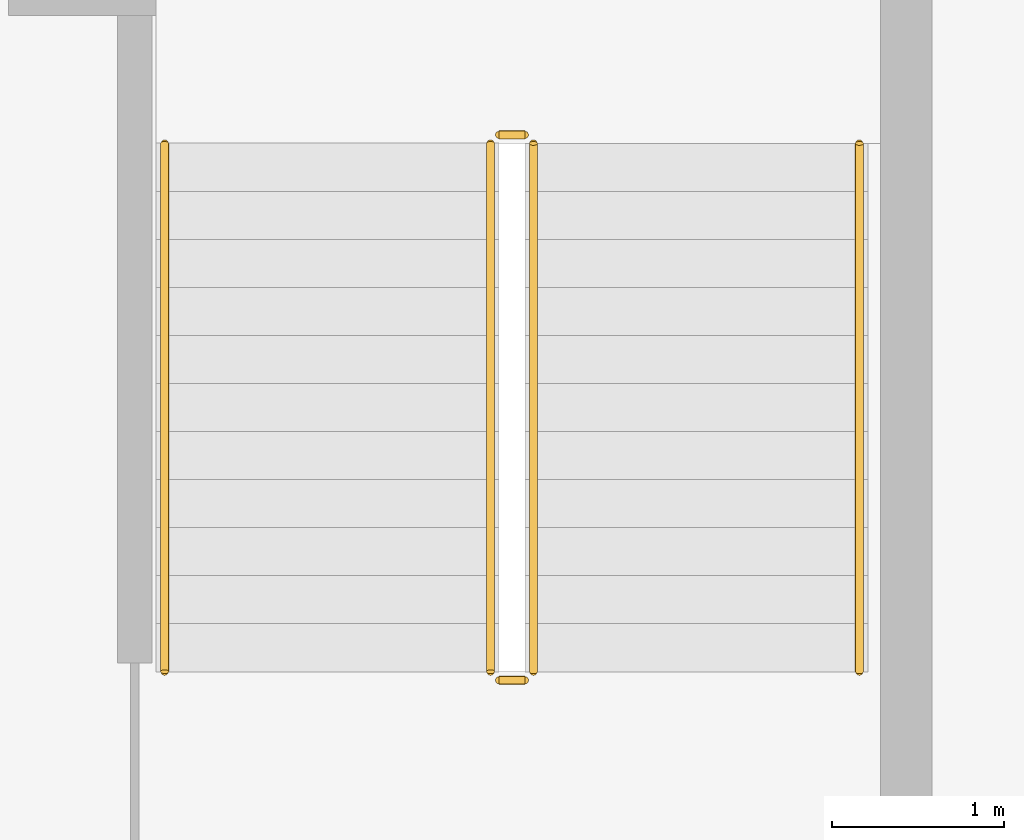
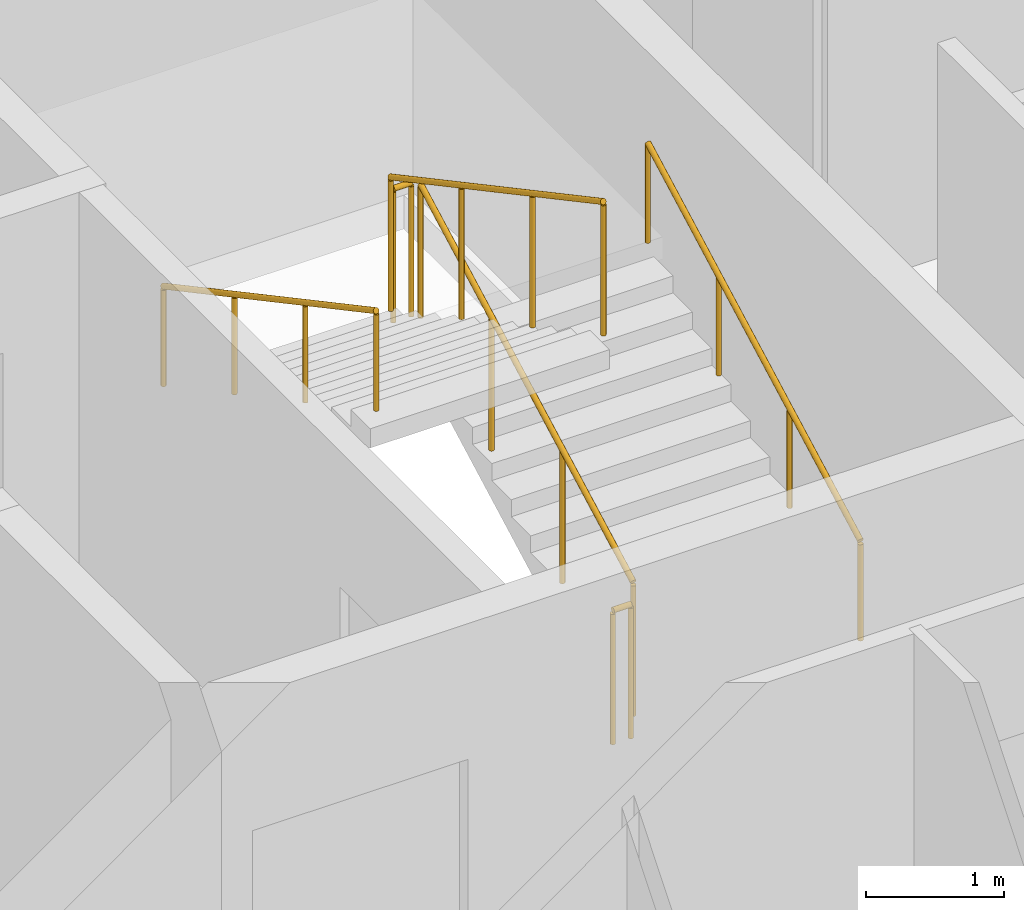
# One storey, part 14 of 14: 6 railings.
"""IFC4 building model written with IfcOpenShell, lengths in metres."""

from ifc_helpers import new_model, si_unit, direction, frame, origin, origin_2d, place, context, subcontext, project, spatial, circle, extrude, material, type_object, element, save


model = new_model("IFC4")

# Units and contexts
model_context = context("Model", 3, precision=1e-05, world=origin(), true_north=direction((0.0, 1.0)))
body_context = subcontext(model_context, "Body", "Model", "MODEL_VIEW")
ifc_project = project(units=[si_unit("LENGTHUNIT", "METRE"), si_unit("AREAUNIT", "SQUARE_METRE"), si_unit("VOLUMEUNIT", "CUBIC_METRE"), si_unit("PLANEANGLEUNIT", "RADIAN"), si_unit("MASSUNIT", "GRAM", prefix="KILO")], contexts=[model_context])

# Site, building, storey
site_placement = place(None, origin())
site = spatial("IfcSite", under=ifc_project, at=site_placement, CompositionType="ELEMENT")
building_placement = place(site_placement, origin())
building = spatial("IfcBuilding", under=site, at=building_placement, Name="Caravel Reach Hotel and Residences", CompositionType="ELEMENT")
storey_placement = place(building_placement, frame((0.0, 0.0, 37.199951171875)))
storey = spatial("IfcBuildingStorey", under=building, at=storey_placement, Name="L07", CompositionType="ELEMENT", Elevation=37.199951171875)

# Railings
ifc_material_1 = material(Name="Steel balustrade with glass infill", Category="steel")
railing_type_1 = type_object("IfcRailingType", Name="Guard 1200", PredefinedType="GUARDRAIL", material=ifc_material_1)
railing_1_placement = place(storey_placement, frame((42.824951171875, 24.64990234375, 0.150146484375)))
element("IfcRailing", 1, at=railing_1_placement, inside=storey, type_object=railing_type_1, Name="L07 ST-B stair guard 1", PredefinedType="GUARDRAIL", context=body_context, shape_type="SweptSolid", body=[
    extrude(circle(Radius=0.02392578125, at=origin_2d()), frame((0.0, 0.0, 1.17578125), z_axis=(0.0, 0.881496589024, 0.472190389079), x_axis=(-1.0, 0.0, 0.0)), (0.0, 0.0, 1.0), 3.494140625),
    extrude(circle(Radius=0.02099609375, at=origin_2d()), origin(), (0.0, 0.0, 1.0), 1.15185546875),
    extrude(circle(Radius=0.02099609375, at=origin_2d()), frame((0.0, 1.026611328125, 0.550048828125)), (0.0, 0.0, 1.0), 1.15185546875),
    extrude(circle(Radius=0.02099609375, at=origin_2d()), frame((0.0, 2.053466796875, 1.099853515625)), (0.0, 0.0, 1.0), 1.15185546875),
    extrude(circle(Radius=0.02099609375, at=origin_2d()), frame((0.0, 3.080078125, 1.64990234375)), (0.0, 0.0, 1.0), 1.15185546875),
])
railing_2_placement = place(storey_placement, frame((42.77490234375, 27.780029296875, 1.800048828125)))
element("IfcRailing", 2, at=railing_2_placement, inside=storey, type_object=railing_type_1, Name="L07 ST-B stair guard 2", PredefinedType="GUARDRAIL", context=body_context, shape_type="SweptSolid", body=[
    extrude(circle(Radius=0.02392578125, at=origin_2d()), frame((0.0, 0.0, 1.17578125), z_axis=(-1.0, 0.0, 0.0), x_axis=(0.0, -1.0, 0.0)), (0.0, 0.0, 1.0), 0.14990234375),
    extrude(circle(Radius=0.02099609375, at=origin_2d()), origin(), (0.0, 0.0, 1.0), 1.15185546875),
    extrude(circle(Radius=0.02099609375, at=origin_2d()), frame((-0.14990234375, 0.0, 0.0)), (0.0, 0.0, 1.0), 1.15185546875),
])
railing_3_placement = place(storey_placement, frame((42.574951171875, 27.72998046875, 1.949951171875)))
element("IfcRailing", 3, at=railing_3_placement, inside=storey, type_object=railing_type_1, Name="L07 ST-B stair guard 3", PredefinedType="GUARDRAIL", context=body_context, shape_type="SweptSolid", body=[
    extrude(circle(Radius=0.02392578125, at=origin_2d()), frame((0.0, 0.0, 1.17578125), z_axis=(0.0, -0.881467505477, 0.472244678941), x_axis=(1.0, 0.0, 0.0)), (0.0, 0.0, 1.0), 3.494140625),
    extrude(circle(Radius=0.02099609375, at=origin_2d()), origin(), (0.0, 0.0, 1.0), 1.15185546875),
    extrude(circle(Radius=0.02099609375, at=origin_2d()), frame((0.0, -1.026611328125, 0.550048828125)), (0.0, 0.0, 1.0), 1.15185546875),
    extrude(circle(Radius=0.02099609375, at=origin_2d()), frame((0.0, -2.053466796875, 1.10009765625)), (0.0, 0.0, 1.0), 1.15185546875),
    extrude(circle(Radius=0.02099609375, at=origin_2d()), frame((0.0, -3.080078125, 1.650146484375)), (0.0, 0.0, 1.0), 1.15185546875),
])
railing_4_placement = place(storey_placement, frame((42.77490234375, 24.60009765625, 0.0)))
element("IfcRailing", 4, at=railing_4_placement, inside=storey, type_object=railing_type_1, Name="L07 ST-B stair guard 4", PredefinedType="GUARDRAIL", context=body_context, shape_type="SweptSolid", body=[
    extrude(circle(Radius=0.02392578125, at=origin_2d()), frame((0.0, 0.0, 1.17578125), z_axis=(-1.0, 0.0, 0.0), x_axis=(0.0, -1.0, 0.0)), (0.0, 0.0, 1.0), 0.14990234375),
    extrude(circle(Radius=0.02099609375, at=origin_2d()), origin(), (0.0, 0.0, 1.0), 1.15185546875),
    extrude(circle(Radius=0.02099609375, at=origin_2d()), frame((-0.14990234375, 0.0, 0.0)), (0.0, 0.0, 1.0), 1.15185546875),
])
ifc_material_2 = material(Name="Stainless steel handrail", Category="steel")
railing_type_2 = type_object("IfcRailingType", Name="Handrail 900", PredefinedType="HANDRAIL", material=ifc_material_2)
railing_5_placement = place(storey_placement, frame((44.72509765625, 24.64990234375, 0.150146484375)))
element("IfcRailing", 5, at=railing_5_placement, inside=storey, type_object=railing_type_2, Name="L07 ST-B stair handrail 1", PredefinedType="HANDRAIL", context=body_context, shape_type="SweptSolid", body=[
    extrude(circle(Radius=0.02392578125, at=origin_2d()), frame((0.0, 0.0, 0.8759765625), z_axis=(0.0, 0.881496589024, 0.472190389079), x_axis=(-1.0, 0.0, 0.0)), (0.0, 0.0, 1.0), 3.494140625),
    extrude(circle(Radius=0.02099609375, at=origin_2d()), origin(), (0.0, 0.0, 1.0), 0.851806640625),
    extrude(circle(Radius=0.02099609375, at=origin_2d()), frame((0.0, 1.026611328125, 0.550048828125)), (0.0, 0.0, 1.0), 0.851806640625),
    extrude(circle(Radius=0.02099609375, at=origin_2d()), frame((0.0, 2.053466796875, 1.099853515625)), (0.0, 0.0, 1.0), 0.851806640625),
    extrude(circle(Radius=0.02099609375, at=origin_2d()), frame((0.0, 3.080078125, 1.64990234375)), (0.0, 0.0, 1.0), 0.851806640625),
])
railing_6_placement = place(storey_placement, frame((40.675048828125, 27.72998046875, 1.949951171875)))
element("IfcRailing", 6, at=railing_6_placement, inside=storey, type_object=railing_type_2, Name="L07 ST-B stair handrail 2", PredefinedType="HANDRAIL", context=body_context, shape_type="SweptSolid", body=[
    extrude(circle(Radius=0.02392578125, at=origin_2d()), frame((0.0, 0.0, 0.8759765625), z_axis=(0.0, -0.881467505477, 0.472244678941), x_axis=(1.0, 0.0, 0.0)), (0.0, 0.0, 1.0), 3.494140625),
    extrude(circle(Radius=0.02099609375, at=origin_2d()), origin(), (0.0, 0.0, 1.0), 0.851806640625),
    extrude(circle(Radius=0.02099609375, at=origin_2d()), frame((0.0, -1.026611328125, 0.550048828125)), (0.0, 0.0, 1.0), 0.851806640625),
    extrude(circle(Radius=0.02099609375, at=origin_2d()), frame((0.0, -2.053466796875, 1.10009765625)), (0.0, 0.0, 1.0), 0.851806640625),
    extrude(circle(Radius=0.02099609375, at=origin_2d()), frame((0.0, -3.080078125, 1.650146484375)), (0.0, 0.0, 1.0), 0.851806640625),
])

save(model, "model.ifc")
